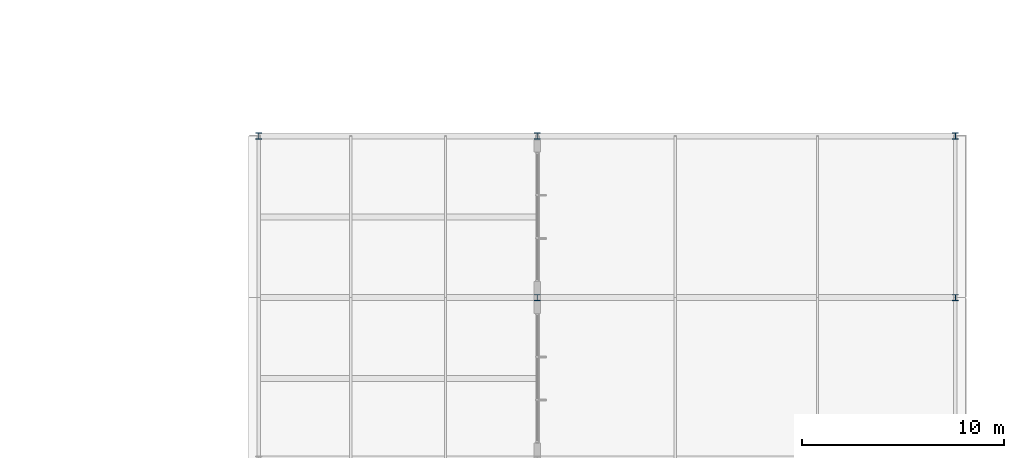
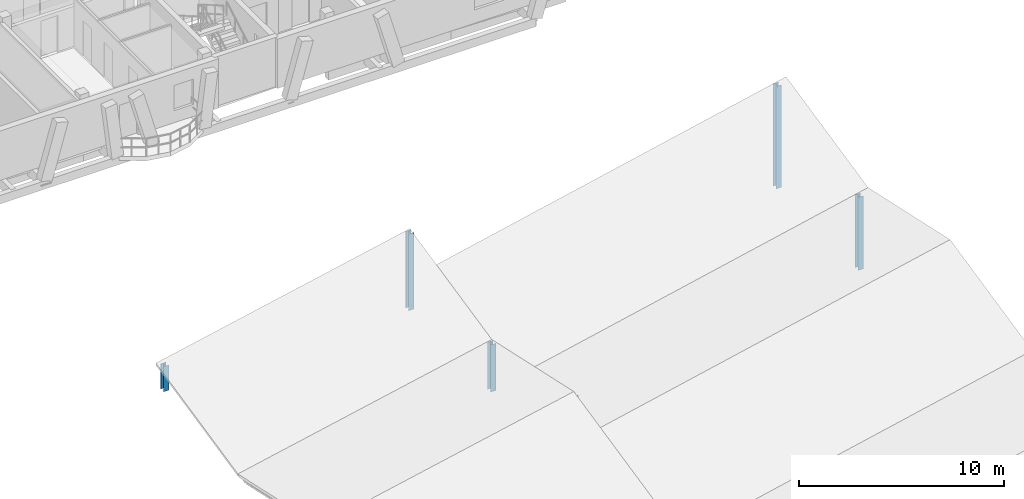
# One storey, part 11 of 109: 5 columns.
"""IFC4 building model written with IfcOpenShell, lengths in metres."""

from ifc_helpers import new_model, si_unit, direction, frame, origin, origin_2d, place, context, subcontext, project, spatial, i_section, extrude, material, material_profile, profile_set, type_object, element, save


model = new_model("IFC4")

# Units and contexts
model_context = context("Model", 3, precision=1e-05, world=origin(), true_north=direction((0.0, 1.0)))
body_context = subcontext(model_context, "Body", "Model", "MODEL_VIEW")
ifc_project = project(units=[si_unit("LENGTHUNIT", "METRE"), si_unit("AREAUNIT", "SQUARE_METRE"), si_unit("VOLUMEUNIT", "CUBIC_METRE"), si_unit("PLANEANGLEUNIT", "RADIAN"), si_unit("MASSUNIT", "GRAM", prefix="KILO")], contexts=[model_context])

# Site, building, storey
site_placement = place(None, origin())
site = spatial("IfcSite", under=ifc_project, at=site_placement, CompositionType="ELEMENT")
building_placement = place(site_placement, origin())
building = spatial("IfcBuilding", under=site, at=building_placement, Name="Zavelmont Quarter", CompositionType="ELEMENT")
storey_placement = place(building_placement, frame((0.0, 0.0, 8.0)))
storey = spatial("IfcBuildingStorey", under=building, at=storey_placement, Name="L02", CompositionType="ELEMENT", Elevation=8.0)

# Columns
ifc_material = material(Name="Steel S355", Category="steel")
ifc_material_profile = material_profile(ifc_material, i_section(OverallWidth=0.300048828125, OverallDepth=0.300048828125, WebThickness=0.010986328125, FlangeThickness=0.01904296875, at=origin_2d()), Name="HEB 300")
ifc_profile_set = profile_set([ifc_material_profile], Name="Steel S355")
column_type = type_object("IfcColumnType", Name="CL10", PredefinedType="COLUMN", material=ifc_profile_set)
column_1_placement = place(storey_placement, frame((133.5, 78.0, 0.0), z_axis=(0.0, 0.0, 1.0), x_axis=(1.0, 0.0, 0.0)))
element("IfcColumn", 1, at=column_1_placement, inside=storey, type_object=column_type, Name="L02 column CL10 at 20/M", PredefinedType="COLUMN", context=body_context, shape_type="SweptSolid", body=[
    extrude(i_section(OverallWidth=0.300048828125, OverallDepth=0.300048828125, WebThickness=0.010986328125, FlangeThickness=0.01904296875, at=origin_2d()), origin(), (0.0, 0.0, 1.0), 1.5),
])
column_2_placement = place(storey_placement, frame((147.300048828125, 70.0, 0.0), z_axis=(0.0, 0.0, 1.0), x_axis=(1.0, 0.0, 0.0)))
element("IfcColumn", 2, at=column_2_placement, inside=storey, type_object=column_type, Name="L02 column CL10 at 22/L", PredefinedType="COLUMN", context=body_context, shape_type="SweptSolid", body=[
    extrude(i_section(OverallWidth=0.300048828125, OverallDepth=0.300048828125, WebThickness=0.010986328125, FlangeThickness=0.01904296875, at=origin_2d()), origin(), (0.0, 0.0, 1.0), 2.80908203125),
])
column_3_placement = place(storey_placement, frame((147.300048828125, 78.0, 0.0), z_axis=(0.0, 0.0, 1.0), x_axis=(1.0, 0.0, 0.0)))
element("IfcColumn", 3, at=column_3_placement, inside=storey, type_object=column_type, Name="L02 column CL10 at 22/M", PredefinedType="COLUMN", context=body_context, shape_type="SweptSolid", body=[
    extrude(i_section(OverallWidth=0.300048828125, OverallDepth=0.300048828125, WebThickness=0.010986328125, FlangeThickness=0.01904296875, at=origin_2d()), origin(), (0.0, 0.0, 1.0), 4.55908203125),
])
column_4_placement = place(storey_placement, frame((168.0, 70.0, 0.0), z_axis=(0.0, 0.0, 1.0), x_axis=(1.0, 0.0, 0.0)))
element("IfcColumn", 4, at=column_4_placement, inside=storey, type_object=column_type, Name="L02 column CL10 at 25/L", PredefinedType="COLUMN", context=body_context, shape_type="SweptSolid", body=[
    extrude(i_section(OverallWidth=0.300048828125, OverallDepth=0.300048828125, WebThickness=0.010986328125, FlangeThickness=0.01904296875, at=origin_2d()), origin(), (0.0, 0.0, 1.0), 4.339111328125),
])
column_5_placement = place(storey_placement, frame((168.0, 78.0, 0.0), z_axis=(0.0, 0.0, 1.0), x_axis=(1.0, 0.0, 0.0)))
element("IfcColumn", 5, at=column_5_placement, inside=storey, type_object=column_type, Name="L02 column CL10 at 25/M", PredefinedType="COLUMN", context=body_context, shape_type="SweptSolid", body=[
    extrude(i_section(OverallWidth=0.300048828125, OverallDepth=0.300048828125, WebThickness=0.010986328125, FlangeThickness=0.01904296875, at=origin_2d()), origin(), (0.0, 0.0, 1.0), 6.089111328125),
])

save(model, "model.ifc")
